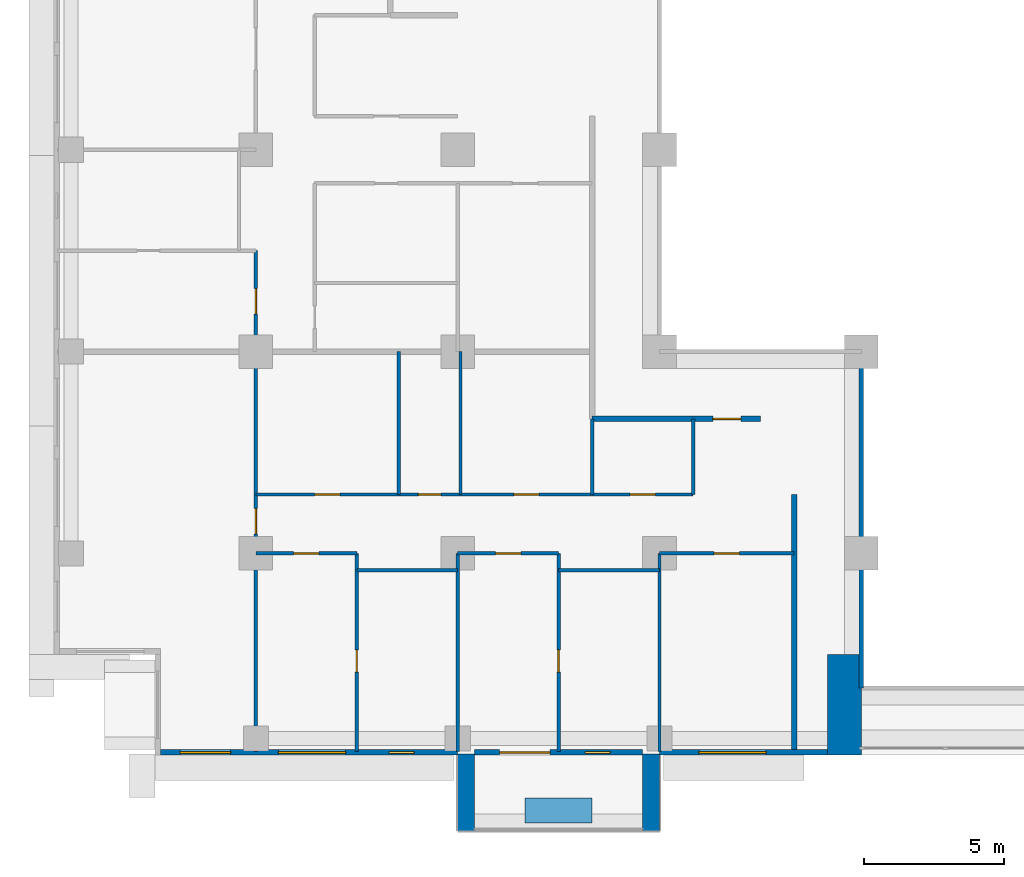
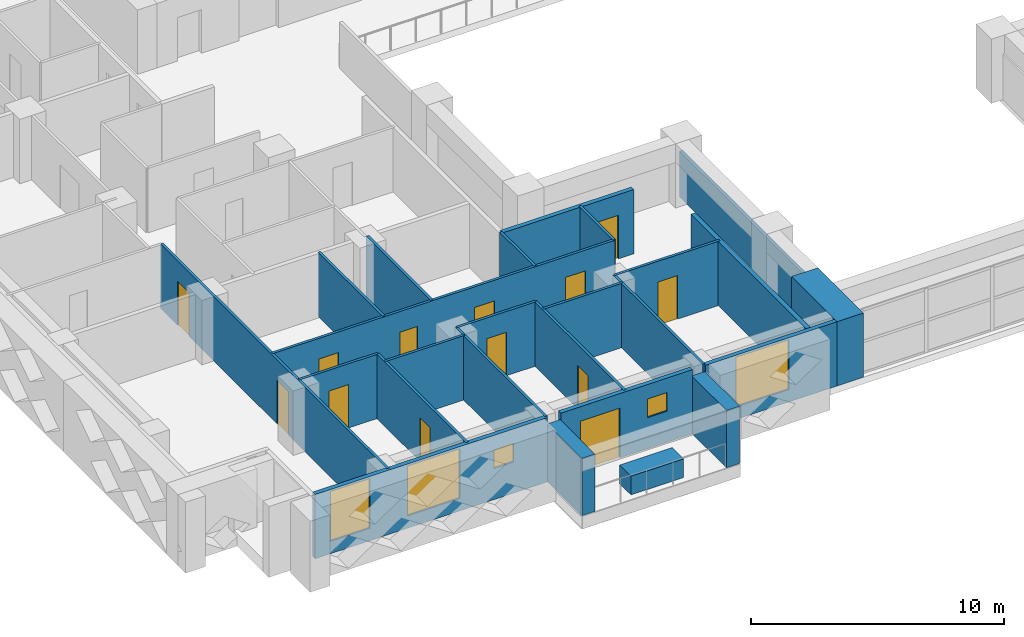
# One storey, part 6 of 17: 25 walls, 13 doors, 5 windows, 18 openings.
"""IFC4 building model written with IfcOpenShell, lengths in metres."""

from ifc_helpers import new_model, si_unit, direction, frame, frame_2d, origin, place, context, subcontext, project, spatial, rectangle, extrude, material, layer, layer_set, type_object, element, fill, save


model = new_model("IFC4")

# Units and contexts
model_context = context("Model", 3, precision=1e-05, world=origin(), true_north=direction((0.0, 1.0)))
body_context = subcontext(model_context, "Body", "Model", "MODEL_VIEW")
ifc_project = project(units=[si_unit("LENGTHUNIT", "METRE"), si_unit("AREAUNIT", "SQUARE_METRE"), si_unit("VOLUMEUNIT", "CUBIC_METRE"), si_unit("PLANEANGLEUNIT", "RADIAN"), si_unit("MASSUNIT", "GRAM", prefix="KILO")], contexts=[model_context])

# Site, building, storey
site_placement = place(None, origin())
site = spatial("IfcSite", under=ifc_project, at=site_placement, CompositionType="ELEMENT")
building_placement = place(site_placement, origin())
building = spatial("IfcBuilding", under=site, at=building_placement, Name="Saffron Iwan Residences", CompositionType="ELEMENT")
storey_placement = place(building_placement, frame((0.0, 0.0, 104.0)))
storey = spatial("IfcBuildingStorey", under=building, at=storey_placement, Name="L27", CompositionType="ELEMENT", Elevation=104.0)

# Walls
ifc_material_1 = material(Name="Fire-rated glazing", Category="glass")
ifc_layer_1 = layer(ifc_material_1, 0.14990234375)
ifc_layer_set_1 = layer_set([ifc_layer_1], Name="Fire-rated glazing")
wall_type_1 = type_object("IfcWallType", Name="Atrium glazed screen 150", PredefinedType="SOLIDWALL", material=ifc_layer_set_1)
wall_1_placement = place(storey_placement, frame((43.199951171875, 36.0, 0.0), z_axis=(0.0, 0.0, 1.0), x_axis=(0.0, 1.0, 0.0)))
element("IfcWall", 1, at=wall_1_placement, inside=storey, type_object=wall_type_1, Name="W-L27-SCREEN-v43.2-36", PredefinedType="SOLIDWALL", context=body_context, shape_type="SweptSolid", body=[
    extrude(rectangle(XDim=12.0, YDim=0.14990234375, at=frame_2d((6.0, 0.0))), origin(), (0.0, 0.0, 1.0), 2.199951171875),
])
ifc_material_2 = material(Name="Concrete C50/60 white painted", Category="concrete")
ifc_layer_2 = layer(ifc_material_2, 0.60009765625)
ifc_layer_set_2 = layer_set([ifc_layer_2], Name="Concrete C50/60 white painted")
wall_type_2 = type_object("IfcWallType", Name="BALCONY FIN 600", PredefinedType="SOLIDWALL", material=ifc_layer_set_2)
for number, where, z_axis, x_axis, name in (
    (2, (29.10009765625, 33.64990234375, 0.0), (0.0, 0.0, 1.0), (0.0, -1.0, 0.0), "Balcony fin L27 11-0a"),
    (3, (35.699951171875, 33.64990234375, 0.0), (0.0, 0.0, 1.0), (0.0, -1.0, 0.0), "Balcony fin L27 11-0b"),
):
    element("IfcWall", number, at=place(storey_placement, frame(where, z_axis=z_axis, x_axis=x_axis)), inside=storey, type_object=wall_type_2, Name=name, PredefinedType="SOLIDWALL", context=body_context, shape_type="SweptSolid", body=[
        extrude(rectangle(XDim=2.75, YDim=0.60009765625, at=frame_2d((1.375, 0.0))), origin(), (0.0, 0.0, 1.0), 2.77001953125),
    ])
ifc_material_3 = material(Name="Concrete C35/45 white painted", Category="concrete")
ifc_layer_3 = layer(ifc_material_3, 0.14990234375)
ifc_layer_set_3 = layer_set([ifc_layer_3], Name="Concrete C35/45 white painted")
wall_type_3 = type_object("IfcWallType", Name="BALCONY PLANTER", PredefinedType="SOLIDWALL", material=ifc_layer_set_3)
wall_2_placement = place(storey_placement, frame((31.199951171875, 31.625, 0.0), z_axis=(0.0, 0.0, 1.0), x_axis=(1.0, 0.0, 0.0)))
element("IfcWall", 4, at=wall_2_placement, inside=storey, type_object=wall_type_3, Name="PLANTER L27 11-0", PredefinedType="SOLIDWALL", context=body_context, shape_type="SweptSolid", body=[
    extrude(rectangle(XDim=2.400146484375, YDim=0.89990234375, at=frame_2d((1.2001953125, 0.0))), origin(), (0.0, 0.0, 1.0), 0.89990234375),
])

# Wall, openings, windows
ifc_material_4 = material(Name="Concrete C40/50", Category="concrete")
ifc_layer_4 = layer(ifc_material_4, 0.199951171875)
ifc_layer_set_4 = layer_set([ifc_layer_4], Name="Concrete C40/50")
wall_type_4 = type_object("IfcWallType", Name="EXTERNAL WALL 200", PredefinedType="SOLIDWALL", material=ifc_layer_set_4)
wall_3_placement = place(storey_placement, frame((18.199951171875, 33.699951171875, 0.0), z_axis=(0.0, 0.0, 1.0), x_axis=(1.0, 0.0, 0.0)))
wall_3 = element("IfcWall", 5, at=wall_3_placement, inside=storey, type_object=wall_type_4, Name="External wall L27 F11.0", PredefinedType="SOLIDWALL", context=body_context, shape_type="SweptSolid", body=[
    extrude(rectangle(XDim=10.60009765625, YDim=0.199951171875, at=frame_2d((5.300048828125, 0.0))), origin(), (0.0, 0.0, 1.0), 3.10009765625),
])
opening_1_placement = place(wall_3_placement, frame((0.699951171875, 0.0, 0.60009765625)))
opening_1 = element("IfcOpeningElement", 6, at=opening_1_placement, cuts=wall_3, Name="Opening W8", PredefinedType="OPENING", context=body_context, shape_type="SweptSolid", body=[
    extrude(rectangle(XDim=1.800048828125, YDim=2.39990234375, at=frame_2d((0.89990234375, 1.199951171875))), frame((0.0, 0.10986328125, 0.0), z_axis=(0.0, -1.0, 0.0), x_axis=(1.0, 0.0, 0.0)), (0.0, 0.0, 1.0), 0.219970703125),
])
opening_2_placement = place(wall_3_placement, frame((4.199951171875, 0.0, 0.60009765625)))
opening_2 = element("IfcOpeningElement", 7, at=opening_2_placement, cuts=wall_3, Name="Opening W1", PredefinedType="OPENING", context=body_context, shape_type="SweptSolid", body=[
    extrude(rectangle(XDim=2.39990234375, YDim=2.39990234375, at=frame_2d((1.199951171875, 1.199951171875))), frame((0.0, 0.10986328125, 0.0), z_axis=(0.0, -1.0, 0.0), x_axis=(1.0, 0.0, 0.0)), (0.0, 0.0, 1.0), 0.219970703125),
])
opening_3_placement = place(wall_3_placement, frame((8.14990234375, 0.0, 1.5)))
opening_3 = element("IfcOpeningElement", 8, at=opening_3_placement, cuts=wall_3, Name="Opening W6", PredefinedType="OPENING", context=body_context, shape_type="SweptSolid", body=[
    extrude(rectangle(XDim=0.89990234375, YDim=0.89990234375, at=frame_2d((0.449951171875, 0.449951171875))), frame((0.0, 0.10986328125, 0.0), z_axis=(0.0, -1.0, 0.0), x_axis=(1.0, 0.0, 0.0)), (0.0, 0.0, 1.0), 0.219970703125),
])
ifc_material_5 = material(Name="Clear glass, laminated double glazed", Category="glass")
window_type_1 = type_object("IfcWindowType", Name="WINDOW 1800 x 2400", PartitioningType="DOUBLE_PANEL_VERTICAL", PredefinedType="WINDOW", material=ifc_material_5)
window_1_placement = place(opening_1_placement, origin())
window_1 = element("IfcWindow", 9, at=window_1_placement, inside=storey, type_object=window_type_1, Name="Window L27 F11.0", OverallHeight=2.39990234375, OverallWidth=1.800048828125, PartitioningType="DOUBLE_PANEL_VERTICAL", PredefinedType="WINDOW", context=body_context, shape_type="SweptSolid", body=[
    extrude(rectangle(XDim=1.800048828125, YDim=2.39990234375, at=frame_2d((0.89990234375, 1.199951171875))), frame((0.0, 0.030029296875, 0.0), z_axis=(0.0, -1.0, 0.0), x_axis=(1.0, 0.0, 0.0)), (0.0, 0.0, 1.0), 0.06005859375),
])
fill(opening_1, window_1)
window_type_2 = type_object("IfcWindowType", Name="WINDOW 2400 x 2400", PartitioningType="DOUBLE_PANEL_VERTICAL", PredefinedType="WINDOW", material=ifc_material_5)
window_2_placement = place(opening_2_placement, origin())
window_2 = element("IfcWindow", 10, at=window_2_placement, inside=storey, type_object=window_type_2, Name="Window L27 F11.1", OverallHeight=2.39990234375, OverallWidth=2.39990234375, PartitioningType="DOUBLE_PANEL_VERTICAL", PredefinedType="WINDOW", context=body_context, shape_type="SweptSolid", body=[
    extrude(rectangle(XDim=2.39990234375, YDim=2.39990234375, at=frame_2d((1.199951171875, 1.199951171875))), frame((0.0, 0.030029296875, 0.0), z_axis=(0.0, -1.0, 0.0), x_axis=(1.0, 0.0, 0.0)), (0.0, 0.0, 1.0), 0.06005859375),
])
fill(opening_2, window_2)
window_type_3 = type_object("IfcWindowType", Name="WINDOW 900 x 900 BATH", PartitioningType="SINGLE_PANEL", PredefinedType="WINDOW", material=ifc_material_5)
window_3_placement = place(opening_3_placement, origin())
window_3 = element("IfcWindow", 11, at=window_3_placement, inside=storey, type_object=window_type_3, Name="Window L27 F11.2", OverallHeight=0.89990234375, OverallWidth=0.89990234375, PartitioningType="SINGLE_PANEL", PredefinedType="WINDOW", context=body_context, shape_type="SweptSolid", body=[
    extrude(rectangle(XDim=0.89990234375, YDim=0.89990234375, at=frame_2d((0.449951171875, 0.449951171875))), frame((0.0, 0.030029296875, 0.0), z_axis=(0.0, -1.0, 0.0), x_axis=(1.0, 0.0, 0.0)), (0.0, 0.0, 1.0), 0.06005859375),
])
fill(opening_3, window_3)

# Wall, openings, door, window
wall_4_placement = place(storey_placement, frame((29.39990234375, 33.699951171875, 0.0), z_axis=(0.0, 0.0, 1.0), x_axis=(1.0, 0.0, 0.0)))
wall_4 = element("IfcWall", 12, at=wall_4_placement, inside=storey, type_object=wall_type_4, Name="External wall L27 F11.1", PredefinedType="SOLIDWALL", context=body_context, shape_type="SweptSolid", body=[
    extrude(rectangle(XDim=6.0, YDim=0.199951171875, at=frame_2d((3.0, 0.0))), origin(), (0.0, 0.0, 1.0), 3.10009765625),
])
opening_4_placement = place(wall_4_placement, frame((0.89990234375, 0.0, 0.0)))
opening_4 = element("IfcOpeningElement", 13, at=opening_4_placement, cuts=wall_4, Name="Opening BD1", PredefinedType="OPENING", context=body_context, shape_type="SweptSolid", body=[
    extrude(rectangle(XDim=1.800048828125, YDim=2.39990234375, at=frame_2d((0.89990234375, 1.199951171875))), frame((0.0, 0.10986328125, 0.0), z_axis=(0.0, -1.0, 0.0), x_axis=(1.0, 0.0, 0.0)), (0.0, 0.0, 1.0), 0.219970703125),
])
opening_5_placement = place(wall_4_placement, frame((3.949951171875, 0.0, 1.5)))
opening_5 = element("IfcOpeningElement", 14, at=opening_5_placement, cuts=wall_4, Name="Opening W6", PredefinedType="OPENING", context=body_context, shape_type="SweptSolid", body=[
    extrude(rectangle(XDim=0.89990234375, YDim=0.89990234375, at=frame_2d((0.449951171875, 0.449951171875))), frame((0.0, 0.10986328125, 0.0), z_axis=(0.0, -1.0, 0.0), x_axis=(1.0, 0.0, 0.0)), (0.0, 0.0, 1.0), 0.219970703125),
])
door_type_1 = type_object("IfcDoorType", Name="BALCONY DOOR 1800 x 2400", OperationType="DOUBLE_DOOR_SLIDING", PredefinedType="DOOR", material=ifc_material_5)
door_1_placement = place(opening_4_placement, origin())
door_1 = element("IfcDoor", 15, at=door_1_placement, inside=storey, type_object=door_type_1, Name="Balcony door L27 F11.0", OperationType="DOUBLE_DOOR_SLIDING", OverallHeight=2.39990234375, OverallWidth=1.800048828125, PredefinedType="DOOR", context=body_context, shape_type="SweptSolid", body=[
    extrude(rectangle(XDim=1.800048828125, YDim=2.39990234375, at=frame_2d((0.89990234375, 1.199951171875))), frame((0.0, 0.02490234375, 0.0), z_axis=(0.0, -1.0, 0.0), x_axis=(1.0, 0.0, 0.0)), (0.0, 0.0, 1.0), 0.050048828125),
])
fill(opening_4, door_1)
window_4_placement = place(opening_5_placement, origin())
window_4 = element("IfcWindow", 16, at=window_4_placement, inside=storey, type_object=window_type_3, Name="Window L27 F11.1", OverallHeight=0.89990234375, OverallWidth=0.89990234375, PartitioningType="SINGLE_PANEL", PredefinedType="WINDOW", context=body_context, shape_type="SweptSolid", body=[
    extrude(rectangle(XDim=0.89990234375, YDim=0.89990234375, at=frame_2d((0.449951171875, 0.449951171875))), frame((0.0, 0.030029296875, 0.0), z_axis=(0.0, -1.0, 0.0), x_axis=(1.0, 0.0, 0.0)), (0.0, 0.0, 1.0), 0.06005859375),
])
fill(opening_5, window_4)

# Wall, opening, window
wall_5_placement = place(storey_placement, frame((36.0, 33.699951171875, 0.0), z_axis=(0.0, 0.0, 1.0), x_axis=(1.0, 0.0, 0.0)))
wall_5 = element("IfcWall", 17, at=wall_5_placement, inside=storey, type_object=wall_type_4, Name="External wall L27 F11.2", PredefinedType="SOLIDWALL", context=body_context, shape_type="SweptSolid", body=[
    extrude(rectangle(XDim=6.0, YDim=0.199951171875, at=frame_2d((3.0, 0.0))), origin(), (0.0, 0.0, 1.0), 3.10009765625),
])
opening_6_placement = place(wall_5_placement, frame((1.39990234375, 0.0, 0.60009765625)))
opening_6 = element("IfcOpeningElement", 18, at=opening_6_placement, cuts=wall_5, Name="Opening W1", PredefinedType="OPENING", context=body_context, shape_type="SweptSolid", body=[
    extrude(rectangle(XDim=2.39990234375, YDim=2.39990234375, at=frame_2d((1.199951171875, 1.199951171875))), frame((0.0, 0.10986328125, 0.0), z_axis=(0.0, -1.0, 0.0), x_axis=(1.0, 0.0, 0.0)), (0.0, 0.0, 1.0), 0.219970703125),
])
window_5_placement = place(opening_6_placement, origin())
window_5 = element("IfcWindow", 19, at=window_5_placement, inside=storey, type_object=window_type_2, Name="Window L27 F11.0", OverallHeight=2.39990234375, OverallWidth=2.39990234375, PartitioningType="DOUBLE_PANEL_VERTICAL", PredefinedType="WINDOW", context=body_context, shape_type="SweptSolid", body=[
    extrude(rectangle(XDim=2.39990234375, YDim=2.39990234375, at=frame_2d((1.199951171875, 1.199951171875))), frame((0.0, 0.030029296875, 0.0), z_axis=(0.0, -1.0, 0.0), x_axis=(1.0, 0.0, 0.0)), (0.0, 0.0, 1.0), 0.06005859375),
])
fill(opening_6, window_5)

# Walls
ifc_material_6 = material(Name="Gypsum board partition")
ifc_layer_5 = layer(ifc_material_6, 0.1201171875)
ifc_layer_set_5 = layer_set([ifc_layer_5], Name="Gypsum board partition")
wall_type_5 = type_object("IfcWallType", Name="Flat partition 120", PredefinedType="PARTITIONING", material=ifc_layer_set_5)
for number, where, z_axis, x_axis, name in (
    (20, (25.199951171875, 40.199951171875, 0.0), (0.0, 0.0, 1.0), (1.0, 0.0, 0.0), "W-L27-PART-h40.2-25.2"),
    (21, (32.39990234375, 40.199951171875, 0.0), (0.0, 0.0, 1.0), (1.0, 0.0, 0.0), "W-L27-PART-h40.2-32.4"),
):
    element("IfcWall", number, at=place(storey_placement, frame(where, z_axis=z_axis, x_axis=x_axis)), inside=storey, type_object=wall_type_5, Name=name, PredefinedType="PARTITIONING", context=body_context, shape_type="SweptSolid", body=[
        extrude(rectangle(XDim=3.60009765625, YDim=0.1201171875, at=frame_2d((1.800048828125, 0.0))), origin(), (0.0, 0.0, 1.0), 3.10009765625),
    ])

# Wall, opening, door
wall_6_placement = place(storey_placement, frame((21.60009765625, 40.800048828125, 0.0), z_axis=(0.0, 0.0, 1.0), x_axis=(1.0, 0.0, 0.0)))
wall_6 = element("IfcWall", 22, at=wall_6_placement, inside=storey, type_object=wall_type_5, Name="W-L27-PART-h40.8-21.6", PredefinedType="PARTITIONING", context=body_context, shape_type="SweptSolid", body=[
    extrude(rectangle(XDim=3.599853515625, YDim=0.1201171875, at=frame_2d((1.7998046875, 0.0))), origin(), (0.0, 0.0, 1.0), 3.10009765625),
])
opening_7_placement = place(wall_6_placement, frame((1.35009765625, 0.0, 0.0)))
opening_7 = element("IfcOpeningElement", 23, at=opening_7_placement, cuts=wall_6, Name="Opening FD2", PredefinedType="OPENING", context=body_context, shape_type="SweptSolid", body=[
    extrude(rectangle(XDim=0.89990234375, YDim=2.10009765625, at=frame_2d((0.449951171875, 1.050048828125))), frame((0.0, 0.070068359375, 0.0), z_axis=(0.0, -1.0, 0.0), x_axis=(1.0, 0.0, 0.0)), (0.0, 0.0, 1.0), 0.14013671875),
])
ifc_material_7 = material(Name="Timber door", Category="wood")
door_type_2 = type_object("IfcDoorType", Name="Flat door 900", OperationType="NOTDEFINED", PredefinedType="DOOR", material=ifc_material_7)
door_2_placement = place(opening_7_placement, origin())
door_2 = element("IfcDoor", 24, at=door_2_placement, inside=storey, type_object=door_type_2, Name="Door L27-003", OperationType="SINGLE_SWING_LEFT", OverallHeight=2.10009765625, OverallWidth=0.89990234375, PredefinedType="DOOR", context=body_context, shape_type="SweptSolid", body=[
    extrude(rectangle(XDim=0.89990234375, YDim=2.10009765625, at=frame_2d((0.449951171875, 1.050048828125))), frame((0.0, 0.02490234375, 0.0), z_axis=(0.0, -1.0, 0.0), x_axis=(1.0, 0.0, 0.0)), (0.0, 0.0, 1.0), 0.050048828125),
])
fill(opening_7, door_2)

wall_7_placement = place(storey_placement, frame((28.800048828125, 40.800048828125, 0.0), z_axis=(0.0, 0.0, 1.0), x_axis=(1.0, 0.0, 0.0)))
wall_7 = element("IfcWall", 25, at=wall_7_placement, inside=storey, type_object=wall_type_5, Name="W-L27-PART-h40.8-28.8", PredefinedType="PARTITIONING", context=body_context, shape_type="SweptSolid", body=[
    extrude(rectangle(XDim=3.599853515625, YDim=0.1201171875, at=frame_2d((1.7998046875, 0.0))), origin(), (0.0, 0.0, 1.0), 3.10009765625),
])
opening_8_placement = place(wall_7_placement, frame((1.35009765625, 0.0, 0.0)))
opening_8 = element("IfcOpeningElement", 26, at=opening_8_placement, cuts=wall_7, Name="Opening FD2", PredefinedType="OPENING", context=body_context, shape_type="SweptSolid", body=[
    extrude(rectangle(XDim=0.89990234375, YDim=2.10009765625, at=frame_2d((0.449951171875, 1.050048828125))), frame((0.0, 0.070068359375, 0.0), z_axis=(0.0, -1.0, 0.0), x_axis=(1.0, 0.0, 0.0)), (0.0, 0.0, 1.0), 0.14013671875),
])
door_3_placement = place(opening_8_placement, origin())
door_3 = element("IfcDoor", 27, at=door_3_placement, inside=storey, type_object=door_type_2, Name="Door L27-005", OperationType="SINGLE_SWING_LEFT", OverallHeight=2.10009765625, OverallWidth=0.89990234375, PredefinedType="DOOR", context=body_context, shape_type="SweptSolid", body=[
    extrude(rectangle(XDim=0.89990234375, YDim=2.10009765625, at=frame_2d((0.449951171875, 1.050048828125))), frame((0.0, 0.02490234375, 0.0), z_axis=(0.0, -1.0, 0.0), x_axis=(1.0, 0.0, 0.0)), (0.0, 0.0, 1.0), 0.050048828125),
])
fill(opening_8, door_3)

wall_8_placement = place(storey_placement, frame((36.0, 40.800048828125, 0.0), z_axis=(0.0, 0.0, 1.0), x_axis=(1.0, 0.0, 0.0)))
wall_8 = element("IfcWall", 28, at=wall_8_placement, inside=storey, type_object=wall_type_5, Name="W-L27-PART-h40.8-36", PredefinedType="PARTITIONING", context=body_context, shape_type="SweptSolid", body=[
    extrude(rectangle(XDim=4.800048828125, YDim=0.1201171875, at=frame_2d((2.39990234375, 0.0))), origin(), (0.0, 0.0, 1.0), 3.10009765625),
])
opening_9_placement = place(wall_8_placement, frame((1.949951171875, 0.0, 0.0)))
opening_9 = element("IfcOpeningElement", 29, at=opening_9_placement, cuts=wall_8, Name="Opening FD2", PredefinedType="OPENING", context=body_context, shape_type="SweptSolid", body=[
    extrude(rectangle(XDim=0.89990234375, YDim=2.10009765625, at=frame_2d((0.449951171875, 1.050048828125))), frame((0.0, 0.070068359375, 0.0), z_axis=(0.0, -1.0, 0.0), x_axis=(1.0, 0.0, 0.0)), (0.0, 0.0, 1.0), 0.14013671875),
])
door_4_placement = place(opening_9_placement, origin())
door_4 = element("IfcDoor", 30, at=door_4_placement, inside=storey, type_object=door_type_2, Name="Door L27-007", OperationType="SINGLE_SWING_RIGHT", OverallHeight=2.10009765625, OverallWidth=0.89990234375, PredefinedType="DOOR", context=body_context, shape_type="SweptSolid", body=[
    extrude(rectangle(XDim=0.89990234375, YDim=2.10009765625, at=frame_2d((0.449951171875, 1.050048828125))), frame((0.0, 0.02490234375, 0.0), z_axis=(0.0, -1.0, 0.0), x_axis=(1.0, 0.0, 0.0)), (0.0, 0.0, 1.0), 0.050048828125),
])
fill(opening_9, door_4)

# Wall, openings, doors
wall_9_placement = place(storey_placement, frame((21.60009765625, 42.89990234375, 0.0), z_axis=(0.0, 0.0, 1.0), x_axis=(1.0, 0.0, 0.0)))
wall_9 = element("IfcWall", 31, at=wall_9_placement, inside=storey, type_object=wall_type_5, Name="W-L27-PART-h42.9-21.6", PredefinedType="PARTITIONING", context=body_context, shape_type="SweptSolid", body=[
    extrude(rectangle(XDim=15.599853515625, YDim=0.1201171875, at=frame_2d((7.7998046875, 0.0))), origin(), (0.0, 0.0, 1.0), 3.10009765625),
])
opening_10_placement = place(wall_9_placement, frame((2.10009765625, 0.0, 0.0)))
opening_10 = element("IfcOpeningElement", 32, at=opening_10_placement, cuts=wall_9, Name="Opening FD2", PredefinedType="OPENING", context=body_context, shape_type="SweptSolid", body=[
    extrude(rectangle(XDim=0.89990234375, YDim=2.10009765625, at=frame_2d((0.449951171875, 1.050048828125))), frame((0.0, 0.070068359375, 0.0), z_axis=(0.0, -1.0, 0.0), x_axis=(1.0, 0.0, 0.0)), (0.0, 0.0, 1.0), 0.14013671875),
])
opening_11_placement = place(wall_9_placement, frame((5.800048828125, 0.0, 0.0)))
opening_11 = element("IfcOpeningElement", 33, at=opening_11_placement, cuts=wall_9, Name="Opening FD3", PredefinedType="OPENING", context=body_context, shape_type="SweptSolid", body=[
    extrude(rectangle(XDim=0.800048828125, YDim=2.10009765625, at=frame_2d((0.39990234375, 1.050048828125))), frame((0.0, 0.070068359375, 0.0), z_axis=(0.0, -1.0, 0.0), x_axis=(1.0, 0.0, 0.0)), (0.0, 0.0, 1.0), 0.14013671875),
])
opening_12_placement = place(wall_9_placement, frame((9.199951171875, 0.0, 0.0)))
opening_12 = element("IfcOpeningElement", 34, at=opening_12_placement, cuts=wall_9, Name="Opening FD2", PredefinedType="OPENING", context=body_context, shape_type="SweptSolid", body=[
    extrude(rectangle(XDim=0.89990234375, YDim=2.10009765625, at=frame_2d((0.449951171875, 1.050048828125))), frame((0.0, 0.070068359375, 0.0), z_axis=(0.0, -1.0, 0.0), x_axis=(1.0, 0.0, 0.0)), (0.0, 0.0, 1.0), 0.14013671875),
])
opening_13_placement = place(wall_9_placement, frame((13.35009765625, 0.0, 0.0)))
opening_13 = element("IfcOpeningElement", 35, at=opening_13_placement, cuts=wall_9, Name="Opening FD2", PredefinedType="OPENING", context=body_context, shape_type="SweptSolid", body=[
    extrude(rectangle(XDim=0.89990234375, YDim=2.10009765625, at=frame_2d((0.449951171875, 1.050048828125))), frame((0.0, 0.070068359375, 0.0), z_axis=(0.0, -1.0, 0.0), x_axis=(1.0, 0.0, 0.0)), (0.0, 0.0, 1.0), 0.14013671875),
])
door_type_3 = type_object("IfcDoorType", Name="Bathroom door 800", OperationType="NOTDEFINED", PredefinedType="DOOR", material=ifc_material_7)
door_5_placement = place(opening_11_placement, origin())
door_5 = element("IfcDoor", 36, at=door_5_placement, inside=storey, type_object=door_type_3, Name="Door L27-009", OperationType="SINGLE_SWING_LEFT", OverallHeight=2.10009765625, OverallWidth=0.800048828125, PredefinedType="DOOR", context=body_context, shape_type="SweptSolid", body=[
    extrude(rectangle(XDim=0.800048828125, YDim=2.10009765625, at=frame_2d((0.39990234375, 1.050048828125))), frame((0.0, 0.02490234375, 0.0), z_axis=(0.0, -1.0, 0.0), x_axis=(1.0, 0.0, 0.0)), (0.0, 0.0, 1.0), 0.050048828125),
])
fill(opening_11, door_5)
door_6_placement = place(opening_10_placement, origin())
door_6 = element("IfcDoor", 37, at=door_6_placement, inside=storey, type_object=door_type_2, Name="Door L27-008", OperationType="SINGLE_SWING_LEFT", OverallHeight=2.10009765625, OverallWidth=0.89990234375, PredefinedType="DOOR", context=body_context, shape_type="SweptSolid", body=[
    extrude(rectangle(XDim=0.89990234375, YDim=2.10009765625, at=frame_2d((0.449951171875, 1.050048828125))), frame((0.0, 0.02490234375, 0.0), z_axis=(0.0, -1.0, 0.0), x_axis=(1.0, 0.0, 0.0)), (0.0, 0.0, 1.0), 0.050048828125),
])
fill(opening_10, door_6)
door_7_placement = place(opening_12_placement, origin())
door_7 = element("IfcDoor", 38, at=door_7_placement, inside=storey, type_object=door_type_2, Name="Door L27-010", OperationType="SINGLE_SWING_RIGHT", OverallHeight=2.10009765625, OverallWidth=0.89990234375, PredefinedType="DOOR", context=body_context, shape_type="SweptSolid", body=[
    extrude(rectangle(XDim=0.89990234375, YDim=2.10009765625, at=frame_2d((0.449951171875, 1.050048828125))), frame((0.0, 0.02490234375, 0.0), z_axis=(0.0, -1.0, 0.0), x_axis=(1.0, 0.0, 0.0)), (0.0, 0.0, 1.0), 0.050048828125),
])
fill(opening_12, door_7)
door_8_placement = place(opening_13_placement, origin())
door_8 = element("IfcDoor", 39, at=door_8_placement, inside=storey, type_object=door_type_2, Name="Door L27-011", OperationType="SINGLE_SWING_LEFT", OverallHeight=2.10009765625, OverallWidth=0.89990234375, PredefinedType="DOOR", context=body_context, shape_type="SweptSolid", body=[
    extrude(rectangle(XDim=0.89990234375, YDim=2.10009765625, at=frame_2d((0.449951171875, 1.050048828125))), frame((0.0, 0.02490234375, 0.0), z_axis=(0.0, -1.0, 0.0), x_axis=(1.0, 0.0, 0.0)), (0.0, 0.0, 1.0), 0.050048828125),
])
fill(opening_13, door_8)

wall_10_placement = place(storey_placement, frame((21.60009765625, 33.72509765625, 0.0), z_axis=(0.0, 0.0, 1.0), x_axis=(0.0, 1.0, 0.0)))
wall_10 = element("IfcWall", 40, at=wall_10_placement, inside=storey, type_object=wall_type_5, Name="W-L27-PART-v21.6-33.725", PredefinedType="PARTITIONING", context=body_context, shape_type="SweptSolid", body=[
    extrude(rectangle(XDim=17.875, YDim=0.1201171875, at=frame_2d((8.9375, 0.0))), origin(), (0.0, 0.0, 1.0), 3.10009765625),
])
opening_14_placement = place(wall_10_placement, frame((7.77490234375, 0.0, 0.0)))
opening_14 = element("IfcOpeningElement", 41, at=opening_14_placement, cuts=wall_10, Name="Opening FD2", PredefinedType="OPENING", context=body_context, shape_type="SweptSolid", body=[
    extrude(rectangle(XDim=0.89990234375, YDim=2.10009765625, at=frame_2d((0.449951171875, 1.050048828125))), frame((0.0, 0.070068359375, 0.0), z_axis=(0.0, -1.0, 0.0), x_axis=(1.0, 0.0, 0.0)), (0.0, 0.0, 1.0), 0.14013671875),
])
opening_15_placement = place(wall_10_placement, frame((15.625, 0.0, 0.0)))
opening_15 = element("IfcOpeningElement", 42, at=opening_15_placement, cuts=wall_10, Name="Opening FD2", PredefinedType="OPENING", context=body_context, shape_type="SweptSolid", body=[
    extrude(rectangle(XDim=0.89990234375, YDim=2.10009765625, at=frame_2d((0.449951171875, 1.050048828125))), frame((0.0, 0.070068359375, 0.0), z_axis=(0.0, -1.0, 0.0), x_axis=(1.0, 0.0, 0.0)), (0.0, 0.0, 1.0), 0.14013671875),
])
door_9_placement = place(opening_14_placement, origin())
door_9 = element("IfcDoor", 43, at=door_9_placement, inside=storey, type_object=door_type_2, Name="Door L27-002", OperationType="SINGLE_SWING_RIGHT", OverallHeight=2.10009765625, OverallWidth=0.89990234375, PredefinedType="DOOR", context=body_context, shape_type="SweptSolid", body=[
    extrude(rectangle(XDim=0.89990234375, YDim=2.10009765625, at=frame_2d((0.449951171875, 1.050048828125))), frame((0.0, 0.02490234375, 0.0), z_axis=(0.0, -1.0, 0.0), x_axis=(1.0, 0.0, 0.0)), (0.0, 0.0, 1.0), 0.050048828125),
])
fill(opening_14, door_9)
door_10_placement = place(opening_15_placement, origin())
door_10 = element("IfcDoor", 44, at=door_10_placement, inside=storey, type_object=door_type_2, Name="Door L27-013", OperationType="SINGLE_SWING_RIGHT", OverallHeight=2.10009765625, OverallWidth=0.89990234375, PredefinedType="DOOR", context=body_context, shape_type="SweptSolid", body=[
    extrude(rectangle(XDim=0.89990234375, YDim=2.10009765625, at=frame_2d((0.449951171875, 1.050048828125))), frame((0.0, 0.02490234375, 0.0), z_axis=(0.0, -1.0, 0.0), x_axis=(1.0, 0.0, 0.0)), (0.0, 0.0, 1.0), 0.050048828125),
])
fill(opening_15, door_10)

# Wall, opening, door
wall_11_placement = place(storey_placement, frame((25.199951171875, 33.72509765625, 0.0), z_axis=(0.0, 0.0, 1.0), x_axis=(0.0, 1.0, 0.0)))
wall_11 = element("IfcWall", 45, at=wall_11_placement, inside=storey, type_object=wall_type_5, Name="W-L27-PART-v25.2-33.725", PredefinedType="PARTITIONING", context=body_context, shape_type="SweptSolid", body=[
    extrude(rectangle(XDim=7.074951171875, YDim=0.1201171875, at=frame_2d((3.53759765625, 0.0))), origin(), (0.0, 0.0, 1.0), 3.10009765625),
])
opening_16_placement = place(wall_11_placement, frame((2.83740234375, 0.0, 0.0)))
opening_16 = element("IfcOpeningElement", 46, at=opening_16_placement, cuts=wall_11, Name="Opening FD3", PredefinedType="OPENING", context=body_context, shape_type="SweptSolid", body=[
    extrude(rectangle(XDim=0.800048828125, YDim=2.10009765625, at=frame_2d((0.39990234375, 1.050048828125))), frame((0.0, 0.070068359375, 0.0), z_axis=(0.0, -1.0, 0.0), x_axis=(1.0, 0.0, 0.0)), (0.0, 0.0, 1.0), 0.14013671875),
])
door_11_placement = place(opening_16_placement, origin())
door_11 = element("IfcDoor", 47, at=door_11_placement, inside=storey, type_object=door_type_3, Name="Door L27-004", OperationType="SINGLE_SWING_RIGHT", OverallHeight=2.10009765625, OverallWidth=0.800048828125, PredefinedType="DOOR", context=body_context, shape_type="SweptSolid", body=[
    extrude(rectangle(XDim=0.800048828125, YDim=2.10009765625, at=frame_2d((0.39990234375, 1.050048828125))), frame((0.0, 0.02490234375, 0.0), z_axis=(0.0, -1.0, 0.0), x_axis=(1.0, 0.0, 0.0)), (0.0, 0.0, 1.0), 0.050048828125),
])
fill(opening_16, door_11)

# Walls
wall_12_placement = place(storey_placement, frame((26.699951171875, 42.89990234375, 0.0), z_axis=(0.0, 0.0, 1.0), x_axis=(0.0, 1.0, 0.0)))
element("IfcWall", 48, at=wall_12_placement, inside=storey, type_object=wall_type_5, Name="W-L27-PART-v26.7-42.9", PredefinedType="PARTITIONING", context=body_context, shape_type="SweptSolid", body=[
    extrude(rectangle(XDim=5.10009765625, YDim=0.1201171875, at=frame_2d((2.550048828125, 0.0))), origin(), (0.0, 0.0, 1.0), 3.10009765625),
])
wall_13_placement = place(storey_placement, frame((28.800048828125, 33.72509765625, 0.0), z_axis=(0.0, 0.0, 1.0), x_axis=(0.0, 1.0, 0.0)))
element("IfcWall", 49, at=wall_13_placement, inside=storey, type_object=wall_type_5, Name="W-L27-PART-v28.8-33.725", PredefinedType="PARTITIONING", context=body_context, shape_type="SweptSolid", body=[
    extrude(rectangle(XDim=7.074951171875, YDim=0.1201171875, at=frame_2d((3.53759765625, 0.0))), origin(), (0.0, 0.0, 1.0), 3.10009765625),
])
wall_14_placement = place(storey_placement, frame((28.89990234375, 42.89990234375, 0.0), z_axis=(0.0, 0.0, 1.0), x_axis=(0.0, 1.0, 0.0)))
element("IfcWall", 50, at=wall_14_placement, inside=storey, type_object=wall_type_5, Name="W-L27-PART-v28.9-42.9", PredefinedType="PARTITIONING", context=body_context, shape_type="SweptSolid", body=[
    extrude(rectangle(XDim=5.10009765625, YDim=0.1201171875, at=frame_2d((2.550048828125, 0.0))), origin(), (0.0, 0.0, 1.0), 3.10009765625),
])

# Wall, opening, door
wall_15_placement = place(storey_placement, frame((32.39990234375, 33.72509765625, 0.0), z_axis=(0.0, 0.0, 1.0), x_axis=(0.0, 1.0, 0.0)))
wall_15 = element("IfcWall", 51, at=wall_15_placement, inside=storey, type_object=wall_type_5, Name="W-L27-PART-v32.4-33.725", PredefinedType="PARTITIONING", context=body_context, shape_type="SweptSolid", body=[
    extrude(rectangle(XDim=7.074951171875, YDim=0.1201171875, at=frame_2d((3.53759765625, 0.0))), origin(), (0.0, 0.0, 1.0), 3.10009765625),
])
opening_17_placement = place(wall_15_placement, frame((2.83740234375, 0.0, 0.0)))
opening_17 = element("IfcOpeningElement", 52, at=opening_17_placement, cuts=wall_15, Name="Opening FD3", PredefinedType="OPENING", context=body_context, shape_type="SweptSolid", body=[
    extrude(rectangle(XDim=0.800048828125, YDim=2.10009765625, at=frame_2d((0.39990234375, 1.050048828125))), frame((0.0, 0.070068359375, 0.0), z_axis=(0.0, -1.0, 0.0), x_axis=(1.0, 0.0, 0.0)), (0.0, 0.0, 1.0), 0.14013671875),
])
door_12_placement = place(opening_17_placement, origin())
door_12 = element("IfcDoor", 53, at=door_12_placement, inside=storey, type_object=door_type_3, Name="Door L27-006", OperationType="SINGLE_SWING_LEFT", OverallHeight=2.10009765625, OverallWidth=0.800048828125, PredefinedType="DOOR", context=body_context, shape_type="SweptSolid", body=[
    extrude(rectangle(XDim=0.800048828125, YDim=2.10009765625, at=frame_2d((0.39990234375, 1.050048828125))), frame((0.0, 0.02490234375, 0.0), z_axis=(0.0, -1.0, 0.0), x_axis=(1.0, 0.0, 0.0)), (0.0, 0.0, 1.0), 0.050048828125),
])
fill(opening_17, door_12)

# Walls
wall_16_placement = place(storey_placement, frame((33.60009765625, 42.89990234375, 0.0), z_axis=(0.0, 0.0, 1.0), x_axis=(0.0, 1.0, 0.0)))
element("IfcWall", 54, at=wall_16_placement, inside=storey, type_object=wall_type_5, Name="W-L27-PART-v33.6-42.9", PredefinedType="PARTITIONING", context=body_context, shape_type="SweptSolid", body=[
    extrude(rectangle(XDim=2.7001953125, YDim=0.1201171875, at=frame_2d((1.35009765625, 0.0))), origin(), (0.0, 0.0, 1.0), 3.10009765625),
])
wall_17_placement = place(storey_placement, frame((36.0, 33.72509765625, 0.0), z_axis=(0.0, 0.0, 1.0), x_axis=(0.0, 1.0, 0.0)))
element("IfcWall", 55, at=wall_17_placement, inside=storey, type_object=wall_type_5, Name="W-L27-PART-v36-33.725", PredefinedType="PARTITIONING", context=body_context, shape_type="SweptSolid", body=[
    extrude(rectangle(XDim=7.074951171875, YDim=0.1201171875, at=frame_2d((3.53759765625, 0.0))), origin(), (0.0, 0.0, 1.0), 3.10009765625),
])
wall_18_placement = place(storey_placement, frame((37.199951171875, 42.89990234375, 0.0), z_axis=(0.0, 0.0, 1.0), x_axis=(0.0, 1.0, 0.0)))
element("IfcWall", 56, at=wall_18_placement, inside=storey, type_object=wall_type_5, Name="W-L27-PART-v37.2-42.9", PredefinedType="PARTITIONING", context=body_context, shape_type="SweptSolid", body=[
    extrude(rectangle(XDim=2.7001953125, YDim=0.1201171875, at=frame_2d((1.35009765625, 0.0))), origin(), (0.0, 0.0, 1.0), 3.10009765625),
])

# Wall, opening, door
ifc_material_8 = material(Name="Fire-rated gypsum board wall")
ifc_layer_6 = layer(ifc_material_8, 0.199951171875)
ifc_layer_set_6 = layer_set([ifc_layer_6], Name="Fire-rated gypsum board wall")
wall_type_6 = type_object("IfcWallType", Name="Gallery wall 200", PredefinedType="SOLIDWALL", material=ifc_layer_set_6)
wall_19_placement = place(storey_placement, frame((33.60009765625, 45.60009765625, 0.0), z_axis=(0.0, 0.0, 1.0), x_axis=(1.0, 0.0, 0.0)))
wall_19 = element("IfcWall", 57, at=wall_19_placement, inside=storey, type_object=wall_type_6, Name="W-L27-CORR-h45.6-33.6", PredefinedType="SOLIDWALL", context=body_context, shape_type="SweptSolid", body=[
    extrude(rectangle(XDim=6.0, YDim=0.199951171875, at=frame_2d((3.0, 0.0))), origin(), (0.0, 0.0, 1.0), 3.10009765625),
])
opening_18_placement = place(wall_19_placement, frame((4.300048828125, 0.0, 0.0)))
opening_18 = element("IfcOpeningElement", 58, at=opening_18_placement, cuts=wall_19, Name="Opening FD1", PredefinedType="OPENING", context=body_context, shape_type="SweptSolid", body=[
    extrude(rectangle(XDim=1.0, YDim=2.10009765625, at=frame_2d((0.5, 1.050048828125))), frame((0.0, 0.10986328125, 0.0), z_axis=(0.0, -1.0, 0.0), x_axis=(1.0, 0.0, 0.0)), (0.0, 0.0, 1.0), 0.219970703125),
])
ifc_material_9 = material(Name="Fire-rated timber door", Category="wood")
door_type_4 = type_object("IfcDoorType", Name="FD30S flat entrance door 1000", OperationType="NOTDEFINED", PredefinedType="DOOR", material=ifc_material_9)
door_13_placement = place(opening_18_placement, origin())
door_13 = element("IfcDoor", 59, at=door_13_placement, inside=storey, type_object=door_type_4, Name="Door L27-001", OperationType="SINGLE_SWING_RIGHT", OverallHeight=2.10009765625, OverallWidth=1.0, PredefinedType="DOOR", context=body_context, shape_type="SweptSolid", body=[
    extrude(rectangle(XDim=1.0, YDim=2.10009765625, at=frame_2d((0.5, 1.050048828125))), frame((0.0, 0.02490234375, 0.0), z_axis=(0.0, -1.0, 0.0), x_axis=(1.0, 0.0, 0.0)), (0.0, 0.0, 1.0), 0.050048828125),
])
fill(opening_18, door_13)

# Walls
wall_20_placement = place(storey_placement, frame((40.800048828125, 33.72509765625, 0.0), z_axis=(0.0, 0.0, 1.0), x_axis=(0.0, 1.0, 0.0)))
element("IfcWall", 60, at=wall_20_placement, inside=storey, type_object=wall_type_6, Name="W-L27-CORR-v40.8-33.725", PredefinedType="SOLIDWALL", context=body_context, shape_type="SweptSolid", body=[
    extrude(rectangle(XDim=9.1748046875, YDim=0.199951171875, at=frame_2d((4.58740234375, 0.0))), origin(), (0.0, 0.0, 1.0), 3.10009765625),
])
ifc_material_10 = material(Name="Concrete C60/75", Category="concrete")
ifc_layer_7 = layer(ifc_material_10, 1.199951171875)
ifc_layer_set_7 = layer_set([ifc_layer_7], Name="Concrete C60/75")
wall_type_7 = type_object("IfcWallType", Name="WALL IWAN PIER 1200 C60/75 3100 HIGH", PredefinedType="SHEAR", material=ifc_layer_set_7)
wall_21_placement = place(storey_placement, frame((42.60009765625, 33.60009765625, 0.0), z_axis=(0.0, 0.0, 1.0), x_axis=(0.0, 1.0, 0.0)))
element("IfcWall", 61, at=wall_21_placement, inside=storey, type_object=wall_type_7, Name="IWAN PIER", PredefinedType="SHEAR", context=body_context, shape_type="SweptSolid", body=[
    extrude(rectangle(XDim=3.599853515625, YDim=1.199951171875, at=frame_2d((1.7998046875, 0.0))), origin(), (0.0, 0.0, 1.0), 3.10009765625),
])

save(model, "model.ifc")
